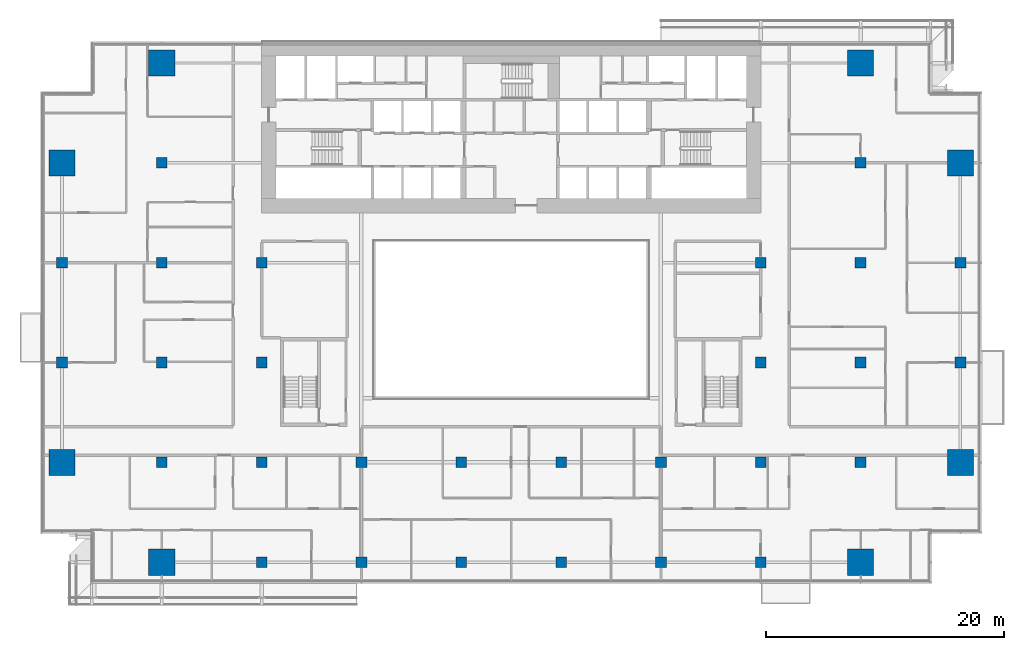
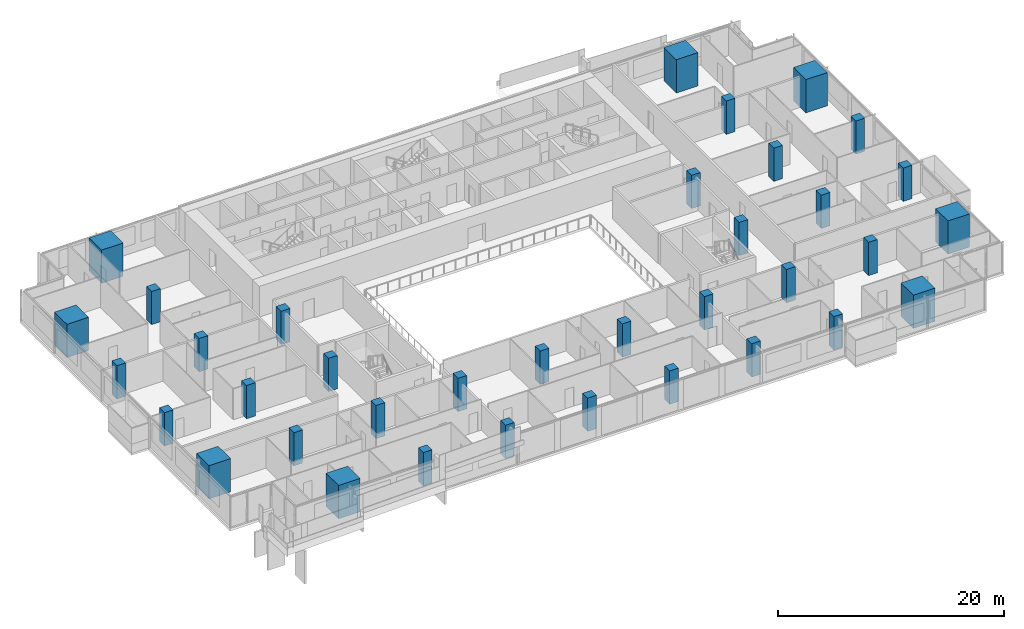
# One storey, part 1 of 29: 36 columns.
"""IFC4 building model written with IfcOpenShell, lengths in metres."""

from ifc_helpers import new_model, si_unit, direction, frame, origin, origin_2d, place, context, subcontext, project, spatial, rectangle, extrude, material, material_profile, profile_set, type_object, element, save


model = new_model("IFC4")

# Units and contexts
model_context = context("Model", 3, precision=1e-05, world=origin(), true_north=direction((0.0, 1.0)))
body_context = subcontext(model_context, "Body", "Model", "MODEL_VIEW")
ifc_project = project(units=[si_unit("LENGTHUNIT", "METRE"), si_unit("AREAUNIT", "SQUARE_METRE"), si_unit("VOLUMEUNIT", "CUBIC_METRE"), si_unit("PLANEANGLEUNIT", "RADIAN"), si_unit("MASSUNIT", "GRAM", prefix="KILO")], contexts=[model_context])

# Site, building, storey
site_placement = place(None, origin())
site = spatial("IfcSite", under=ifc_project, at=site_placement, CompositionType="ELEMENT")
building_placement = place(site_placement, origin())
building = spatial("IfcBuilding", under=site, at=building_placement, Name="Saffron Gate Tower", CompositionType="ELEMENT")
storey_placement = place(building_placement, frame((0.0, 0.0, 58.800048828125)))
storey = spatial("IfcBuildingStorey", under=building, at=storey_placement, Name="L13", CompositionType="ELEMENT", Elevation=58.800048828125)

# Columns
ifc_material_1 = material(Name="Concrete C60", Category="concrete")
ifc_material_profile_1 = material_profile(ifc_material_1, rectangle(XDim=0.89990234375, YDim=0.89990234375, at=origin_2d()))
ifc_profile_set_1 = profile_set([ifc_material_profile_1], Name="Concrete C60")
column_type_1 = type_object("IfcColumnType", Name="C6 RC 900x900 CONCRETE C60", PredefinedType="COLUMN", material=ifc_profile_set_1)
for number, where, z_axis, x_axis, name in (
    (1, (49.800048828125, 48.60009765625, 0.0), (0.0, 0.0, 1.0), (1.0, 0.0, 0.0), "C6 COLUMN X1-C"),
    (2, (49.800048828125, 57.0, 0.0), (0.0, 0.0, 1.0), (1.0, 0.0, 0.0), "C6 COLUMN X1-D"),
    (3, (58.199951171875, 40.199951171875, 0.0), (0.0, 0.0, 1.0), (1.0, 0.0, 0.0), "C6 COLUMN X2-B"),
    (4, (58.199951171875, 48.60009765625, 0.0), (0.0, 0.0, 1.0), (1.0, 0.0, 0.0), "C6 COLUMN X2-C"),
    (5, (58.199951171875, 57.0, 0.0), (0.0, 0.0, 1.0), (1.0, 0.0, 0.0), "C6 COLUMN X2-D"),
    (6, (58.199951171875, 65.39990234375, 0.0), (0.0, 0.0, 1.0), (1.0, 0.0, 0.0), "C6 COLUMN X2-E"),
    (7, (66.60009765625, 31.800048828125, 0.0), (0.0, 0.0, 1.0), (1.0, 0.0, 0.0), "C6 COLUMN X3-A"),
    (8, (66.60009765625, 40.199951171875, 0.0), (0.0, 0.0, 1.0), (1.0, 0.0, 0.0), "C6 COLUMN X3-B"),
    (9, (66.60009765625, 48.60009765625, 0.0), (0.0, 0.0, 1.0), (1.0, 0.0, 0.0), "C6 COLUMN X3-C"),
    (10, (66.60009765625, 57.0, 0.0), (0.0, 0.0, 1.0), (1.0, 0.0, 0.0), "C6 COLUMN X3-D"),
    (11, (75.0, 31.800048828125, 0.0), (0.0, 0.0, 1.0), (1.0, 0.0, 0.0), "C6 COLUMN X4-A"),
    (12, (75.0, 40.199951171875, 0.0), (0.0, 0.0, 1.0), (1.0, 0.0, 0.0), "C6 COLUMN X4-B"),
    (13, (83.39990234375, 31.800048828125, 0.0), (0.0, 0.0, 1.0), (1.0, 0.0, 0.0), "C6 COLUMN X5-A"),
    (14, (83.39990234375, 40.199951171875, 0.0), (0.0, 0.0, 1.0), (1.0, 0.0, 0.0), "C6 COLUMN X5-B"),
    (15, (91.800048828125, 31.800048828125, 0.0), (0.0, 0.0, 1.0), (1.0, 0.0, 0.0), "C6 COLUMN X6-A"),
    (16, (91.800048828125, 40.199951171875, 0.0), (0.0, 0.0, 1.0), (1.0, 0.0, 0.0), "C6 COLUMN X6-B"),
    (17, (100.199951171875, 31.800048828125, 0.0), (0.0, 0.0, 1.0), (1.0, 0.0, 0.0), "C6 COLUMN X7-A"),
    (18, (100.199951171875, 40.199951171875, 0.0), (0.0, 0.0, 1.0), (1.0, 0.0, 0.0), "C6 COLUMN X7-B"),
    (19, (108.60009765625, 31.800048828125, 0.0), (0.0, 0.0, 1.0), (1.0, 0.0, 0.0), "C6 COLUMN X8-A"),
    (20, (108.60009765625, 40.199951171875, 0.0), (0.0, 0.0, 1.0), (1.0, 0.0, 0.0), "C6 COLUMN X8-B"),
    (21, (108.60009765625, 48.60009765625, 0.0), (0.0, 0.0, 1.0), (1.0, 0.0, 0.0), "C6 COLUMN X8-C"),
    (22, (108.60009765625, 57.0, 0.0), (0.0, 0.0, 1.0), (1.0, 0.0, 0.0), "C6 COLUMN X8-D"),
    (23, (117.0, 40.199951171875, 0.0), (0.0, 0.0, 1.0), (1.0, 0.0, 0.0), "C6 COLUMN X9-B"),
    (24, (117.0, 48.60009765625, 0.0), (0.0, 0.0, 1.0), (1.0, 0.0, 0.0), "C6 COLUMN X9-C"),
    (25, (117.0, 57.0, 0.0), (0.0, 0.0, 1.0), (1.0, 0.0, 0.0), "C6 COLUMN X9-D"),
    (26, (117.0, 65.39990234375, 0.0), (0.0, 0.0, 1.0), (1.0, 0.0, 0.0), "C6 COLUMN X9-E"),
    (27, (125.39990234375, 48.60009765625, 0.0), (0.0, 0.0, 1.0), (1.0, 0.0, 0.0), "C6 COLUMN X10-C"),
    (28, (125.39990234375, 57.0, 0.0), (0.0, 0.0, 1.0), (1.0, 0.0, 0.0), "C6 COLUMN X10-D"),
):
    element("IfcColumn", number, at=place(storey_placement, frame(where, z_axis=z_axis, x_axis=x_axis)), inside=storey, type_object=column_type_1, Name=name, PredefinedType="COLUMN", context=body_context, shape_type="SweptSolid", body=[
        extrude(rectangle(XDim=0.89990234375, YDim=0.89990234375, at=origin_2d()), origin(), (0.0, 0.0, 1.0), 3.599853515625),
    ])
ifc_material_2 = material(Name="Concrete C80", Category="concrete")
ifc_material_profile_2 = material_profile(ifc_material_2, rectangle(XDim=2.199951171875, YDim=2.199951171875, at=origin_2d()))
ifc_profile_set_2 = profile_set([ifc_material_profile_2], Name="Concrete C80")
column_type_2 = type_object("IfcColumnType", Name="MC4 RC 2200x2200 CONCRETE C80", PredefinedType="COLUMN", material=ifc_profile_set_2)
for number, where, z_axis, x_axis, name in (
    (29, (49.800048828125, 40.199951171875, 0.0), (0.0, 0.0, 1.0), (1.0, 0.0, 0.0), "MC4 MEGA COLUMN X1-B"),
    (30, (49.800048828125, 65.39990234375, 0.0), (0.0, 0.0, 1.0), (1.0, 0.0, 0.0), "MC4 MEGA COLUMN X1-E"),
    (31, (58.199951171875, 31.800048828125, 0.0), (0.0, 0.0, 1.0), (1.0, 0.0, 0.0), "MC4 MEGA COLUMN X2-A"),
    (32, (58.199951171875, 73.800048828125, 0.0), (0.0, 0.0, 1.0), (1.0, 0.0, 0.0), "MC4 MEGA COLUMN X2-F"),
    (33, (117.0, 31.800048828125, 0.0), (0.0, 0.0, 1.0), (1.0, 0.0, 0.0), "MC4 MEGA COLUMN X9-A"),
    (34, (117.0, 73.800048828125, 0.0), (0.0, 0.0, 1.0), (1.0, 0.0, 0.0), "MC4 MEGA COLUMN X9-F"),
    (35, (125.39990234375, 40.199951171875, 0.0), (0.0, 0.0, 1.0), (1.0, 0.0, 0.0), "MC4 MEGA COLUMN X10-B"),
    (36, (125.39990234375, 65.39990234375, 0.0), (0.0, 0.0, 1.0), (1.0, 0.0, 0.0), "MC4 MEGA COLUMN X10-E"),
):
    element("IfcColumn", number, at=place(storey_placement, frame(where, z_axis=z_axis, x_axis=x_axis)), inside=storey, type_object=column_type_2, Name=name, PredefinedType="COLUMN", context=body_context, shape_type="SweptSolid", body=[
        extrude(rectangle(XDim=2.199951171875, YDim=2.199951171875, at=origin_2d()), origin(), (0.0, 0.0, 1.0), 3.599853515625),
    ])

save(model, "model.ifc")
